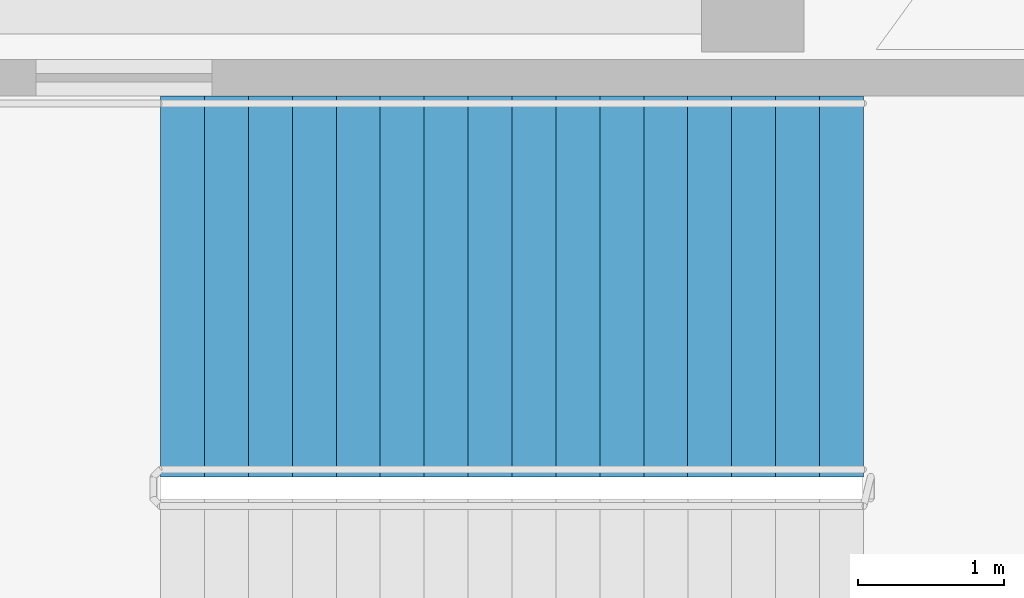
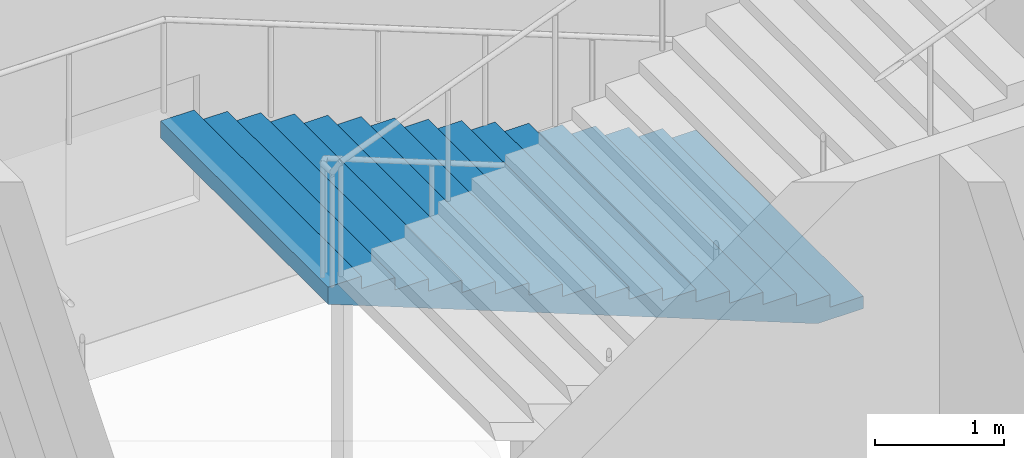
# One storey, part 12 of 14: 1 stair flight, 1 element without a shape of its own.
"""IFC4 building model written with IfcOpenShell, lengths in metres."""

from ifc_helpers import new_model, si_unit, direction, frame, origin, place, context, subcontext, project, spatial, polyline, outline, extrude, material, type_object, element, aggregate, save


model = new_model("IFC4")

# Units and contexts
model_context = context("Model", 3, precision=1e-05, world=origin(), true_north=direction((0.0, 1.0)))
body_context = subcontext(model_context, "Body", "Model", "MODEL_VIEW")
ifc_project = project(units=[si_unit("LENGTHUNIT", "METRE"), si_unit("AREAUNIT", "SQUARE_METRE"), si_unit("VOLUMEUNIT", "CUBIC_METRE"), si_unit("PLANEANGLEUNIT", "RADIAN"), si_unit("MASSUNIT", "GRAM", prefix="KILO")], contexts=[model_context])

# Site, building, storey
site_placement = place(None, origin())
site = spatial("IfcSite", under=ifc_project, at=site_placement, CompositionType="ELEMENT")
building_placement = place(site_placement, origin())
building = spatial("IfcBuilding", under=site, at=building_placement, Name="Quipu Civic Tower", CompositionType="ELEMENT")
storey_placement = place(building_placement, frame((0.0, 0.0, 323.0)))
storey = spatial("IfcBuildingStorey", under=building, at=storey_placement, Name="L75", CompositionType="ELEMENT", Elevation=323.0)

# Stair, stair flight
ifc_material_1 = material(Name="Concrete C40/50", Category="concrete")
stair_type = type_object("IfcStairType", Name="Half turn stair 2600", PredefinedType="HALF_TURN_STAIR", material=ifc_material_1)
stair_placement = place(storey_placement, origin())
stair = element("IfcStair", 1, at=stair_placement, inside=storey, type_object=stair_type, Name="Exit stair 4", PredefinedType="HALF_TURN_STAIR")
ifc_material_2 = material(Name="Concrete C40/50", Category="concrete")
stair_flight_type = type_object("IfcStairFlightType", Name="Stair flight 2600", PredefinedType="STRAIGHT", material=ifc_material_2)
stair_flight_placement = place(storey_placement, frame((15.14990234375, 8.550048828125, 0.0), z_axis=(0.0, 0.0, 1.0), x_axis=(-1.0, 0.0, 0.0)))
stair_flight = element("IfcStairFlight", 2, at=stair_flight_placement, type_object=stair_flight_type, Name="ST-4 flight 1", NumberOfRisers=17, NumberOfTreads=16, PredefinedType="STRAIGHT", RiserHeight=0.117647059, TreadLength=0.3, context=body_context, shape_type="SweptSolid", body=[
    extrude(outline(polyline([(0.0, 0.0), (0.0, 0.11767578125), (0.300048828125, 0.11767578125), (0.300048828125, 0.2353515625), (0.60009765625, 0.2353515625), (0.60009765625, 0.35302734375), (0.89990234375, 0.35302734375), (0.89990234375, 0.470703125), (1.199951171875, 0.470703125), (1.199951171875, 0.588134765625), (1.5, 0.588134765625), (1.5, 0.705810546875), (1.800048828125, 0.705810546875), (1.800048828125, 0.823486328125), (2.10009765625, 0.823486328125), (2.10009765625, 0.941162109375), (2.39990234375, 0.941162109375), (2.39990234375, 1.058837890625), (2.699951171875, 1.058837890625), (2.699951171875, 1.176513671875), (3.0, 1.176513671875), (3.0, 1.294189453125), (3.300048828125, 1.294189453125), (3.300048828125, 1.411865234375), (3.60009765625, 1.411865234375), (3.60009765625, 1.529296875), (3.89990234375, 1.529296875), (3.89990234375, 1.64697265625), (4.199951171875, 1.64697265625), (4.199951171875, 1.7646484375), (4.5, 1.7646484375), (4.5, 1.88232421875), (4.800048828125, 1.88232421875), (4.800048828125, 2.0), (4.800048828125, 1.721435546875), (0.41064453125, 0.0), (0.0, 0.0)])), frame((0.0, 1.300048828125, 0.0), z_axis=(0.0, -1.0, 0.0), x_axis=(1.0, 0.0, 0.0)), (0.0, 0.0, 1.0), 2.60009765625),
])
aggregate(stair, [stair_flight])

save(model, "model.ifc")
